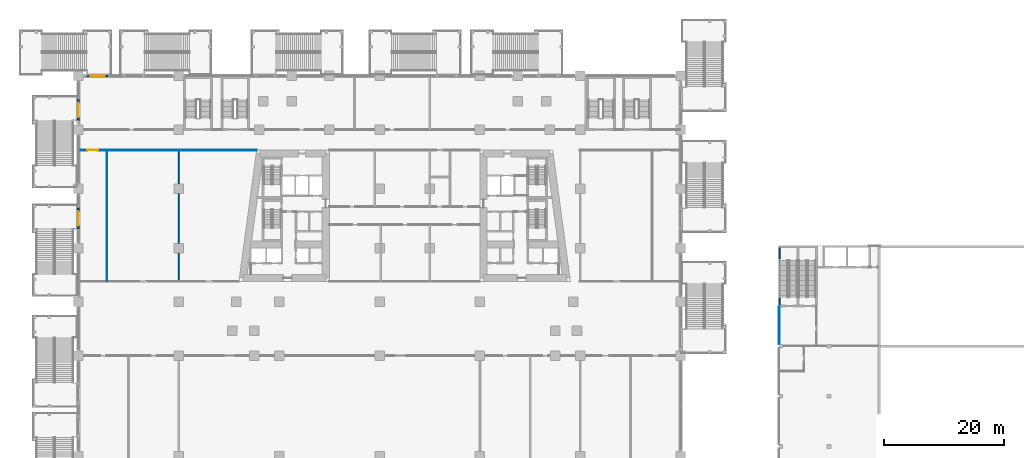
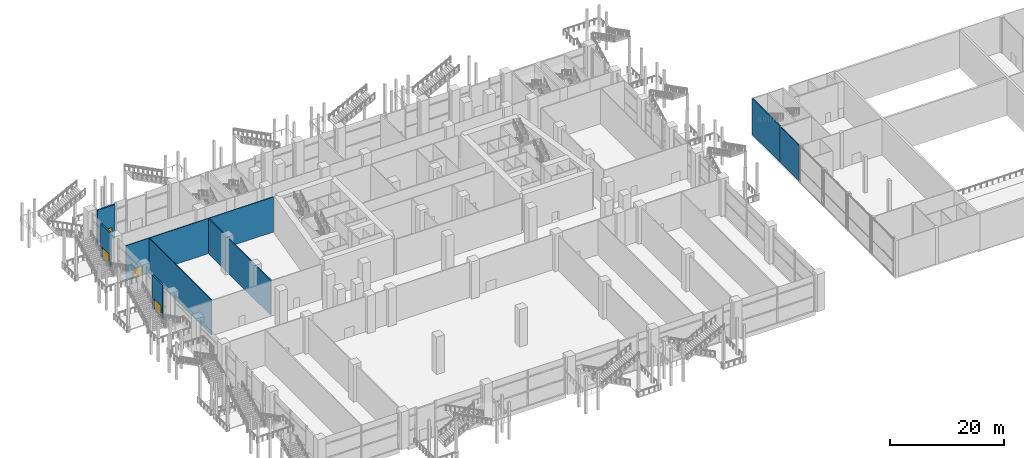
# One storey, part 27 of 52: 8 walls, 4 doors, 4 openings.
"""IFC4 building model written with IfcOpenShell, lengths in metres."""

import ifcopenshell
import ifcopenshell.guid

model = None  # the IFC model being written
_history = None  # IfcOwnerHistory: only IFC2X3 demands one
_inside = {}  # id of a spatial element -> (the spatial element, [elements in it])
_under = {}  # id of a project, library or spatial element -> (it, [spatial elements below it])
_declared = {}  # id of a project -> (the project, [libraries it declares])
_typed = {}  # id of a type object -> (the type object, [elements of that type])
_made_of = {}  # id of a material, layer set ... -> (it, [elements and type objects made of it])


def new_model(schema):
    """Start an empty IFC model of exactly this schema.

    Asked for "IFC4X3", IfcOpenShell would pick the latest addendum, in which some entities
    have other attributes; the version numbers below select the first issue.
    IFC2X3 requires an IfcOwnerHistory on every rooted entity: one is made here for all.
    """
    global model, _history
    if schema == "IFC4X3":
        model = ifcopenshell.file(schema_version=(4, 3, 0, 0))
    else:
        model = ifcopenshell.file(schema=schema)
    _inside.clear()
    _under.clear()
    _declared.clear()
    _typed.clear()
    _made_of.clear()
    _history = None
    if model.schema == "IFC2X3":
        org = make("IfcOrganization", Name="unknown")
        user = make(
            "IfcPersonAndOrganization",
            ThePerson=make("IfcPerson", FamilyName="unknown"),
            TheOrganization=org,
        )
        app = make(
            "IfcApplication",
            ApplicationDeveloper=org,
            Version="unknown",
            ApplicationFullName="unknown",
            ApplicationIdentifier="unknown",
        )
        _history = make(
            "IfcOwnerHistory",
            OwningUser=user,
            OwningApplication=app,
            ChangeAction="ADDED",
            CreationDate=0,
        )
    return model


def make(cls, **values):
    """One entity of the class cls with the attributes given. An attribute that is None is left unset."""
    return model.create_entity(
        cls, **{name: value for name, value in values.items() if value is not None}
    )


def rooted(cls, **values):
    """An entity with a GlobalId (a new one), such as an element, a storey or a relation."""
    return make(cls, GlobalId=ifcopenshell.guid.new(), OwnerHistory=_history, **values)


def si_unit(unit_type, name, prefix=None):
    """IfcSIUnit, for example si_unit("LENGTHUNIT", "METRE", prefix="MILLI")."""
    return make("IfcSIUnit", UnitType=unit_type, Prefix=prefix, Name=name)


def assignment(units):
    """IfcUnitAssignment: the units of a project."""
    return None if units is None else make("IfcUnitAssignment", Units=units)


def point(xyz):
    """IfcCartesianPoint."""
    return None if xyz is None else make("IfcCartesianPoint", Coordinates=xyz)


def direction(xyz):
    """IfcDirection."""
    return None if xyz is None else make("IfcDirection", DirectionRatios=xyz)


def frame(location, z_axis=None, x_axis=None):
    """IfcAxis2Placement3D, a coordinate frame: its origin and axes. An axis left out is left unset."""
    return make(
        "IfcAxis2Placement3D",
        Location=point(location),
        Axis=direction(z_axis),
        RefDirection=direction(x_axis),
    )


def frame_2d(location, x_axis=None):
    """IfcAxis2Placement2D, a coordinate frame in the plane: its origin and x axis."""
    return make(
        "IfcAxis2Placement2D", Location=point(location), RefDirection=direction(x_axis)
    )


def origin():
    """The frame at (0, 0, 0) with its axes left unset."""
    return frame((0.0, 0.0, 0.0))


def place(relative_to, where):
    """IfcLocalPlacement: puts the frame where relative to a parent placement (None: the world)."""
    return make(
        "IfcLocalPlacement", PlacementRelTo=relative_to, RelativePlacement=where
    )


def context(
    kind, dimensions, precision=None, world=None, true_north=None, identifier=None
):
    """IfcGeometricRepresentationContext, for example the 3D "Model" context."""
    return make(
        "IfcGeometricRepresentationContext",
        ContextIdentifier=identifier,
        ContextType=kind,
        CoordinateSpaceDimension=dimensions,
        Precision=precision,
        WorldCoordinateSystem=world,
        TrueNorth=true_north,
    )


def subcontext(parent, identifier, kind, view, scale=None):
    """IfcGeometricRepresentationSubContext, for example "Body" below "Model"."""
    return make(
        "IfcGeometricRepresentationSubContext",
        ContextIdentifier=identifier,
        ContextType=kind,
        ParentContext=parent,
        TargetScale=scale,
        TargetView=view,
    )


def project(units=None, contexts=None):
    """IfcProject with its units and contexts."""
    return rooted(
        "IfcProject",
        Name="project",
        RepresentationContexts=contexts,
        UnitsInContext=assignment(units),
    )


def spatial(cls, under=None, at=None, **own):
    """A site, building, storey or space (cls), placed at a placement, below another one or the project."""
    s = rooted(cls, ObjectPlacement=at, **own)
    if under is not None:
        _under.setdefault(under.id(), (under, []))[1].append(s)
    return s


def profile(cls, at=None, kind="AREA", **sizes):
    """A parametric profile (cls). Its sizes go by their IFC names, for example OverallWidth=200.0."""
    return make(cls, ProfileType=kind, Position=at, **sizes)


def rectangle(**sizes):
    """IfcRectangleProfileDef."""
    return profile("IfcRectangleProfileDef", **sizes)


def extrude(swept, where, along, depth):
    """IfcExtrudedAreaSolid: the profile swept, set in the frame where, extruded along a direction by depth."""
    return make(
        "IfcExtrudedAreaSolid",
        SweptArea=swept,
        Position=where,
        ExtrudedDirection=direction(along),
        Depth=depth,
    )


def shape(context_of_items, identifier, shape_type, items):
    """IfcShapeRepresentation: the items that make up one representation, for example the "Body"."""
    return make(
        "IfcShapeRepresentation",
        ContextOfItems=context_of_items,
        RepresentationIdentifier=identifier,
        RepresentationType=shape_type,
        Items=items,
    )


def material(Name=None, Category=None):
    """IfcMaterial."""
    return make("IfcMaterial", Name=Name, Category=Category)


def layer(
    of_material, thickness, ventilated=None, Name=None, Category=None, Priority=None
):
    """IfcMaterialLayer: one layer of a wall or slab, of a material (None: an air gap)."""
    return make(
        "IfcMaterialLayer",
        Material=of_material,
        LayerThickness=thickness,
        IsVentilated=ventilated,
        Name=Name,
        Category=Category,
        Priority=Priority,
    )


def layer_set(layers, Name=None):
    """IfcMaterialLayerSet."""
    return make("IfcMaterialLayerSet", MaterialLayers=layers, LayerSetName=Name)


def made_of(thing, what):
    """Note that an element or type object is made of a material, layer set ...; save() writes the relation."""
    if what is not None:
        _made_of.setdefault(what.id(), (what, []))[1].append(thing)
    return thing


def type_object(cls, material=None, **own):
    """A type object (cls), such as IfcWallType, which elements share."""
    return made_of(rooted(cls, **own), material)


def element(
    cls,
    number,
    at=None,
    inside=None,
    cuts=None,
    type_object=None,
    material=None,
    context=None,
    identifier="Body",
    shape_type=None,
    held_by="IfcProductDefinitionShape",
    body=None,
    shapes=None,
    **own,
):
    """One element of the class cls, such as IfcWall. Its Tag is "e" and its number.

    at: its placement. inside: the storey or other place that contains it. cuts: it is an
    opening in that element (IfcRelVoidsElement). A single representation is given by context,
    identifier, shape_type and body (its items); several are given by shapes. held_by: the class
    of the entity that holds the representations. save() writes the other relations.
    """
    e = rooted(cls, Tag="e%d" % number, ObjectPlacement=at, **own)
    if body is not None:
        shapes = [shape(context, identifier, shape_type, body)]
    if shapes is not None:
        e.Representation = make(held_by, Representations=shapes)
    if inside is not None:
        _inside.setdefault(inside.id(), (inside, []))[1].append(e)
    if cuts is not None:
        rooted(
            "IfcRelVoidsElement", RelatingBuildingElement=cuts, RelatedOpeningElement=e
        )
    if type_object is not None:
        _typed.setdefault(type_object.id(), (type_object, []))[1].append(e)
    return made_of(e, material)


def fill(opening, filler):
    """IfcRelFillsElement: the door or window that sits in an opening."""
    return rooted(
        "IfcRelFillsElement",
        RelatingOpeningElement=opening,
        RelatedBuildingElement=filler,
    )


def aggregate(whole, parts):
    """IfcRelAggregates: a whole, such as a stair, and the parts it consists of."""
    return rooted("IfcRelAggregates", RelatingObject=whole, RelatedObjects=parts)


def save(model, path):
    """Write the relations noted so far, then the file.

    IfcRelAggregates (storeys below a building ...), IfcRelContainedInSpatialStructure (elements
    in a storey), IfcRelDefinesByType, IfcRelAssociatesMaterial and IfcRelDeclares: one each for
    every whole, place, type object, material and project.
    """
    for whole, parts in _under.values():
        aggregate(whole, parts)
    for where, things in _inside.values():
        rooted(
            "IfcRelContainedInSpatialStructure",
            RelatedElements=things,
            RelatingStructure=where,
        )
    for kind, things in _typed.values():
        rooted("IfcRelDefinesByType", RelatedObjects=things, RelatingType=kind)
    for what, things in _made_of.values():
        rooted("IfcRelAssociatesMaterial", RelatedObjects=things, RelatingMaterial=what)
    for by, libraries in _declared.values():
        rooted("IfcRelDeclares", RelatingContext=by, RelatedDefinitions=libraries)
    model.write(path)


model = new_model("IFC4")

# Units and contexts
model_context = context("Model", 3, precision=1e-05, world=origin(), true_north=direction((0.0, 1.0)))
body_context = subcontext(model_context, "Body", "Model", "MODEL_VIEW")
ifc_project = project(units=[si_unit("LENGTHUNIT", "METRE"), si_unit("AREAUNIT", "SQUARE_METRE"), si_unit("VOLUMEUNIT", "CUBIC_METRE"), si_unit("PLANEANGLEUNIT", "RADIAN"), si_unit("MASSUNIT", "GRAM", prefix="KILO")], contexts=[model_context])

# Site, building, storey
site_placement = place(None, origin())
site = spatial("IfcSite", under=ifc_project, at=site_placement, CompositionType="ELEMENT")
building_placement = place(site_placement, origin())
building = spatial("IfcBuilding", under=site, at=building_placement, Name="Candeia Pilgrim Tower and Theatre", CompositionType="ELEMENT")
storey_placement = place(building_placement, frame((0.0, 0.0, 9.0)))
storey = spatial("IfcBuildingStorey", under=building, at=storey_placement, Name="L01", CompositionType="ELEMENT", Elevation=9.0)

# Wall, opening, door
ifc_material_1 = material(Name="Ceramic block masonry", Category="masonry")
ifc_layer_1 = layer(ifc_material_1, 0.300048828125)
ifc_layer_set_1 = layer_set([ifc_layer_1], Name="EW2 entrance infill wall 300")
wall_type_1 = type_object("IfcWallType", Name="EW2 entrance infill wall 300", PredefinedType="SOLIDWALL", material=ifc_layer_set_1)
wall_1_placement = place(storey_placement, frame((58.800048828125, 119.14990234375, 0.0), z_axis=(0.0, 0.0, 1.0), x_axis=(0.0, 1.0, 0.0)))
wall_1 = element("IfcWall", 1, at=wall_1_placement, inside=storey, type_object=wall_type_1, Name="Entrance wall L01", PredefinedType="SOLIDWALL", context=body_context, shape_type="SweptSolid", body=[
    extrude(rectangle(XDim=3.60009765625, YDim=0.300048828125, at=frame_2d((1.800048828125, 0.0))), origin(), (0.0, 0.0, 1.0), 7.10009765625),
])
opening_1_placement = place(wall_1_placement, frame((0.60009765625, 0.0, 0.0)))
opening_1 = element("IfcOpeningElement", 2, at=opening_1_placement, cuts=wall_1, Name="Opening L01-ED030", PredefinedType="OPENING", context=body_context, shape_type="SweptSolid", body=[
    extrude(rectangle(XDim=2.39990234375, YDim=2.39990234375, at=frame_2d((1.199951171875, 1.199951171875))), frame((0.0, 0.16015625, 0.0), z_axis=(0.0, -1.0, 0.0), x_axis=(1.0, 0.0, 0.0)), (0.0, 0.0, 1.0), 0.320068359375),
])
ifc_material_2 = material(Name="Aluminium framed glazed door", Category="aluminium")
door_type_1 = type_object("IfcDoorType", Name="ED entrance double door 2400x2400", OperationType="DOUBLE_DOOR_DOUBLE_SWING", PredefinedType="DOOR", material=ifc_material_2)
door_1_placement = place(opening_1_placement, origin())
door_1 = element("IfcDoor", 3, at=door_1_placement, inside=storey, type_object=door_type_1, Name="Entrance door L01-ED030", OperationType="DOUBLE_DOOR_DOUBLE_SWING", OverallHeight=2.39990234375, OverallWidth=2.39990234375, PredefinedType="DOOR", context=body_context, shape_type="SweptSolid", body=[
    extrude(rectangle(XDim=2.39990234375, YDim=2.39990234375, at=frame_2d((1.199951171875, 1.199951171875))), frame((0.0, 0.02490234375, 0.0), z_axis=(0.0, -1.0, 0.0), x_axis=(1.0, 0.0, 0.0)), (0.0, 0.0, 1.0), 0.050048828125),
])
fill(opening_1, door_1)

wall_2_placement = place(storey_placement, frame((58.800048828125, 137.300048828125, 0.0), z_axis=(0.0, 0.0, 1.0), x_axis=(0.0, 1.0, 0.0)))
wall_2 = element("IfcWall", 4, at=wall_2_placement, inside=storey, type_object=wall_type_1, Name="Entrance wall L01", PredefinedType="SOLIDWALL", context=body_context, shape_type="SweptSolid", body=[
    extrude(rectangle(XDim=3.599853515625, YDim=0.300048828125, at=frame_2d((1.7998046875, 0.0))), origin(), (0.0, 0.0, 1.0), 7.10009765625),
])
opening_2_placement = place(wall_2_placement, frame((0.60009765625, 0.0, 0.0)))
opening_2 = element("IfcOpeningElement", 5, at=opening_2_placement, cuts=wall_2, Name="Opening L01-ED031", PredefinedType="OPENING", context=body_context, shape_type="SweptSolid", body=[
    extrude(rectangle(XDim=2.39990234375, YDim=2.39990234375, at=frame_2d((1.199951171875, 1.199951171875))), frame((0.0, 0.16015625, 0.0), z_axis=(0.0, -1.0, 0.0), x_axis=(1.0, 0.0, 0.0)), (0.0, 0.0, 1.0), 0.320068359375),
])
door_2_placement = place(opening_2_placement, origin())
door_2 = element("IfcDoor", 6, at=door_2_placement, inside=storey, type_object=door_type_1, Name="Entrance door L01-ED031", OperationType="DOUBLE_DOOR_DOUBLE_SWING", OverallHeight=2.39990234375, OverallWidth=2.39990234375, PredefinedType="DOOR", context=body_context, shape_type="SweptSolid", body=[
    extrude(rectangle(XDim=2.39990234375, YDim=2.39990234375, at=frame_2d((1.199951171875, 1.199951171875))), frame((0.0, 0.02490234375, 0.0), z_axis=(0.0, -1.0, 0.0), x_axis=(1.0, 0.0, 0.0)), (0.0, 0.0, 1.0), 0.050048828125),
])
fill(opening_2, door_2)

wall_3_placement = place(storey_placement, frame((60.199951171875, 144.800048828125, 0.0), z_axis=(0.0, 0.0, 1.0), x_axis=(1.0, 0.0, 0.0)))
wall_3 = element("IfcWall", 7, at=wall_3_placement, inside=storey, type_object=wall_type_1, Name="Entrance wall L01", PredefinedType="SOLIDWALL", context=body_context, shape_type="SweptSolid", body=[
    extrude(rectangle(XDim=3.60009765625, YDim=0.300048828125, at=frame_2d((1.800048828125, 0.0))), origin(), (0.0, 0.0, 1.0), 7.10009765625),
])
opening_3_placement = place(wall_3_placement, frame((0.60009765625, 0.0, 0.0)))
opening_3 = element("IfcOpeningElement", 8, at=opening_3_placement, cuts=wall_3, Name="Opening L01-ED032", PredefinedType="OPENING", context=body_context, shape_type="SweptSolid", body=[
    extrude(rectangle(XDim=2.39990234375, YDim=2.39990234375, at=frame_2d((1.199951171875, 1.199951171875))), frame((0.0, 0.16015625, 0.0), z_axis=(0.0, -1.0, 0.0), x_axis=(1.0, 0.0, 0.0)), (0.0, 0.0, 1.0), 0.320068359375),
])
door_3_placement = place(opening_3_placement, origin())
door_3 = element("IfcDoor", 9, at=door_3_placement, inside=storey, type_object=door_type_1, Name="Entrance door L01-ED032", OperationType="DOUBLE_DOOR_DOUBLE_SWING", OverallHeight=2.39990234375, OverallWidth=2.39990234375, PredefinedType="DOOR", context=body_context, shape_type="SweptSolid", body=[
    extrude(rectangle(XDim=2.39990234375, YDim=2.39990234375, at=frame_2d((1.199951171875, 1.199951171875))), frame((0.0, 0.02490234375, 0.0), z_axis=(0.0, -1.0, 0.0), x_axis=(1.0, 0.0, 0.0)), (0.0, 0.0, 1.0), 0.050048828125),
])
fill(opening_3, door_3)

ifc_material_3 = material(Name="Gypsum board partition on steel studs", Category="steel")
ifc_layer_2 = layer(ifc_material_3, 0.14990234375)
ifc_layer_set_2 = layer_set([ifc_layer_2], Name="PW-150 unit wall")
wall_type_2 = type_object("IfcWallType", Name="PW-150 unit wall", PredefinedType="PARTITIONING", material=ifc_layer_set_2)
wall_4_placement = place(storey_placement, frame((58.85009765625, 132.39990234375, 0.0), z_axis=(0.0, 0.0, 1.0), x_axis=(1.0, 0.0, 0.0)))
wall_4 = element("IfcWall", 10, at=wall_4_placement, inside=storey, type_object=wall_type_2, Name="Unit wall L01-032", PredefinedType="PARTITIONING", context=body_context, shape_type="SweptSolid", body=[
    extrude(rectangle(XDim=29.781005859375, YDim=0.14990234375, at=frame_2d((14.890625, 0.0))), origin(), (0.0, 0.0, 1.0), 7.5),
])
opening_4_placement = place(wall_4_placement, frame((1.449951171875, 0.0, 0.0)))
opening_4 = element("IfcOpeningElement", 11, at=opening_4_placement, cuts=wall_4, Name="Opening L01-D029", PredefinedType="OPENING", context=body_context, shape_type="SweptSolid", body=[
    extrude(rectangle(XDim=1.800048828125, YDim=2.10009765625, at=frame_2d((0.89990234375, 1.050048828125))), frame((0.0, 0.0849609375, 0.0), z_axis=(0.0, -1.0, 0.0), x_axis=(1.0, 0.0, 0.0)), (0.0, 0.0, 1.0), 0.169921875),
])
ifc_material_4 = material(Name="Steel fire door set", Category="steel")
door_type_2 = type_object("IfcDoorType", Name="D-1800-FD60", OperationType="NOTDEFINED", PredefinedType="DOOR", material=ifc_material_4)
door_4_placement = place(opening_4_placement, origin())
door_4 = element("IfcDoor", 12, at=door_4_placement, inside=storey, type_object=door_type_2, Name="Door L01-D029", OperationType="SINGLE_SWING_RIGHT", OverallHeight=2.10009765625, OverallWidth=1.800048828125, PredefinedType="DOOR", context=body_context, shape_type="SweptSolid", body=[
    extrude(rectangle(XDim=1.800048828125, YDim=2.10009765625, at=frame_2d((0.89990234375, 1.050048828125))), frame((0.0, 0.02490234375, 0.0), z_axis=(0.0, -1.0, 0.0), x_axis=(1.0, 0.0, 0.0)), (0.0, 0.0, 1.0), 0.050048828125),
])
fill(opening_4, door_4)

# Walls
wall_5_placement = place(storey_placement, frame((63.60009765625, 110.47509765625, 0.0), z_axis=(0.0, 0.0, 1.0), x_axis=(0.0, 1.0, 0.0)))
element("IfcWall", 13, at=wall_5_placement, inside=storey, type_object=wall_type_2, Name="Unit wall L01-044", PredefinedType="PARTITIONING", context=body_context, shape_type="SweptSolid", body=[
    extrude(rectangle(XDim=21.849853515625, YDim=0.14990234375, at=frame_2d((10.9248046875, 0.0))), origin(), (0.0, 0.0, 1.0), 7.5),
])
ifc_layer_3 = layer(ifc_material_3, 0.199951171875)
ifc_layer_set_3 = layer_set([ifc_layer_3], Name="PW-200 party wall")
wall_type_3 = type_object("IfcWallType", Name="PW-200 party wall", PredefinedType="PARTITIONING", material=ifc_layer_set_3)
wall_6_placement = place(storey_placement, frame((75.60009765625, 110.47509765625, 0.0), z_axis=(0.0, 0.0, 1.0), x_axis=(0.0, 1.0, 0.0)))
element("IfcWall", 14, at=wall_6_placement, inside=storey, type_object=wall_type_3, Name="Party wall L01-047", PredefinedType="PARTITIONING", context=body_context, shape_type="SweptSolid", body=[
    extrude(rectangle(XDim=21.849853515625, YDim=0.199951171875, at=frame_2d((10.9248046875, 0.0))), origin(), (0.0, 0.0, 1.0), 7.5),
])
ifc_material_5 = material(Name="Gypsum board on steel studs", Category="steel")
ifc_layer_4 = layer(ifc_material_5, 0.125)
ifc_layer_set_4 = layer_set([ifc_layer_4], Name="Partition 125")
wall_type_4 = type_object("IfcWallType", Name="Partition 125", PredefinedType="PARTITIONING", material=ifc_layer_set_4)
wall_7_placement = place(storey_placement, frame((176.0625, 99.89990234375, 0.0), z_axis=(0.0, 0.0, 1.0), x_axis=(0.0, 1.0, 0.0)))
element("IfcWall", 15, at=wall_7_placement, inside=storey, type_object=wall_type_4, Name="T-L01-W036", PredefinedType="PARTITIONING", context=body_context, shape_type="SweptSolid", body=[
    extrude(rectangle(XDim=6.275146484375, YDim=0.125, at=frame_2d((3.1376953125, 0.0))), origin(), (0.0, 0.0, 1.0), 7.699951171875),
])
ifc_material_6 = material(Name="Concrete C35/45", Category="concrete")
ifc_layer_5 = layer(ifc_material_6, 0.25)
ifc_layer_set_5 = layer_set([ifc_layer_5], Name="RC wall 250 C35/45")
wall_type_5 = type_object("IfcWallType", Name="RC wall 250 C35/45", PredefinedType="SOLIDWALL", material=ifc_layer_set_5)
wall_8_placement = place(storey_placement, frame((176.125, 106.425048828125, 0.0), z_axis=(0.0, 0.0, 1.0), x_axis=(0.0, 1.0, 0.0)))
element("IfcWall", 16, at=wall_8_placement, inside=storey, type_object=wall_type_5, Name="T-L01-W037", PredefinedType="SOLIDWALL", context=body_context, shape_type="SweptSolid", body=[
    extrude(rectangle(XDim=9.724853515625, YDim=0.25, at=frame_2d((4.8623046875, 0.0))), origin(), (0.0, 0.0, 1.0), 7.699951171875),
])

save(model, "model.ifc")
